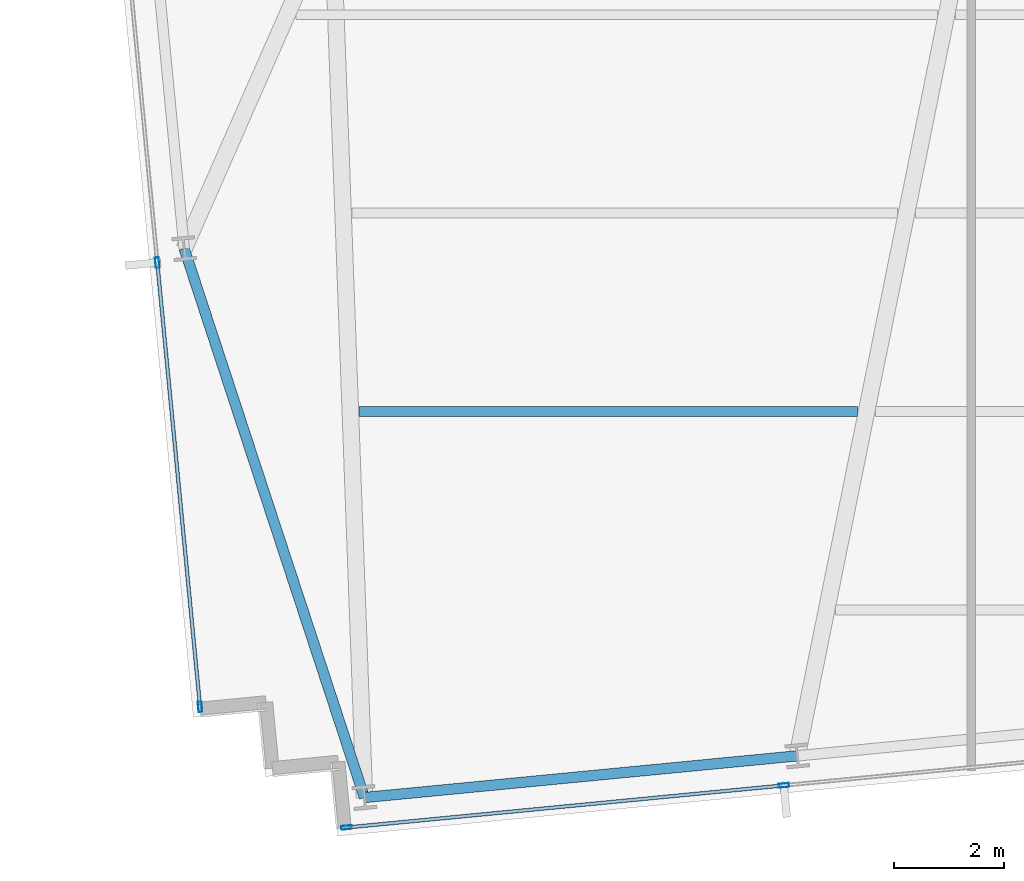
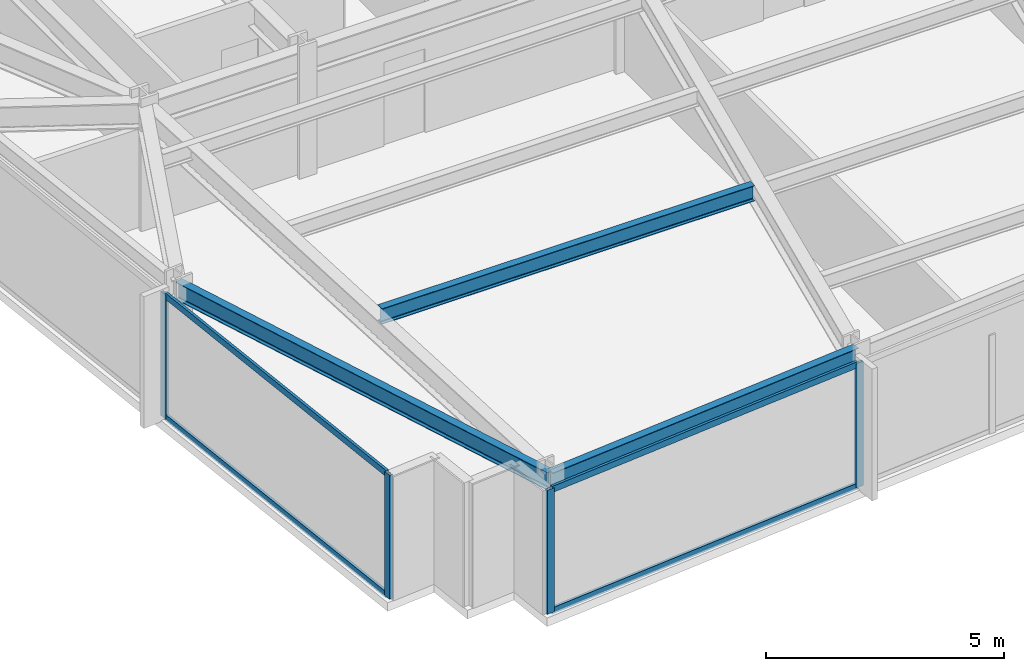
# One storey, part 2 of 32: 8 members, 3 beams, 2 elements without a shape of their own.
"""IFC4 building model written with IfcOpenShell, lengths in metres."""

from ifc_helpers import new_model, si_unit, direction, frame, origin, origin_2d, place, context, subcontext, project, spatial, hollow_rectangle, i_section, extrude, material, material_profile, profile_set, type_object, element, aggregate, save


model = new_model("IFC4")

# Units and contexts
model_context = context("Model", 3, precision=1e-05, world=origin(), true_north=direction((0.0, 1.0)))
body_context = subcontext(model_context, "Body", "Model", "MODEL_VIEW")
ifc_project = project(units=[si_unit("LENGTHUNIT", "METRE"), si_unit("AREAUNIT", "SQUARE_METRE"), si_unit("VOLUMEUNIT", "CUBIC_METRE"), si_unit("PLANEANGLEUNIT", "RADIAN"), si_unit("MASSUNIT", "GRAM", prefix="KILO")], contexts=[model_context])

# Site, building, storey
site_placement = place(None, origin())
site = spatial("IfcSite", under=ifc_project, at=site_placement, CompositionType="ELEMENT")
building_placement = place(site_placement, origin())
building = spatial("IfcBuilding", under=site, at=building_placement, Name="Yelkora Congress Tower", CompositionType="ELEMENT")
storey_placement = place(building_placement, frame((0.0, 0.0, 93.10009765625)))
storey = spatial("IfcBuildingStorey", under=building, at=storey_placement, Name="L24", CompositionType="ELEMENT", Elevation=93.10009765625)

# Beams
ifc_material_1 = material(Name="Steel S355J2", Category="steel")
ifc_material_profile_1 = material_profile(ifc_material_1, i_section(OverallWidth=0.179931640625, OverallDepth=0.39990234375, WebThickness=0.008544921875, FlangeThickness=0.013427734375, FilletRadius=0.02099609375, at=origin_2d()), Name="IPE 400")
ifc_profile_set_1 = profile_set([ifc_material_profile_1], Name="Steel S355J2")
beam_type_1 = type_object("IfcBeamType", Name="BM-JOIST-IPE400", PredefinedType="JOIST", material=ifc_profile_set_1)
beam_1_placement = place(storey_placement, frame((19.6904296875, 16.144287109375, 2.97998046875), z_axis=(1.0, 0.0, 0.0), x_axis=(0.0, 1.0, 0.0)))
element("IfcBeam", 1, at=beam_1_placement, inside=storey, type_object=beam_type_1, Name="L24 Composite Floor Joist 4", PredefinedType="JOIST", context=body_context, shape_type="SweptSolid", body=[
    extrude(i_section(OverallWidth=0.179931640625, OverallDepth=0.39990234375, WebThickness=0.008544921875, FlangeThickness=0.013427734375, FilletRadius=0.02099609375, at=origin_2d()), origin(), (0.0, 0.0, 1.0), 9.0439453125),
])
ifc_material_profile_2 = material_profile(ifc_material_1, i_section(OverallWidth=0.18994140625, OverallDepth=0.449951171875, WebThickness=0.009521484375, FlangeThickness=0.0146484375, FilletRadius=0.02099609375, at=origin_2d()), Name="IPE 450")
ifc_profile_set_2 = profile_set([ifc_material_profile_2], Name="Steel S355J2")
beam_type_2 = type_object("IfcBeamType", Name="BM-SPAN-IPE450", PredefinedType="SPANDREL", material=ifc_profile_set_2)
beam_2_placement = place(storey_placement, frame((16.5166015625, 19.101806640625, 2.954833984375), z_axis=(0.311940628701, -0.95010159676, 0.0), x_axis=(0.95010159676, 0.311940628701, 0.0)))
element("IfcBeam", 2, at=beam_2_placement, inside=storey, type_object=beam_type_2, Name="L24 Perimeter Beam 2", PredefinedType="SPANDREL", context=body_context, shape_type="SweptSolid", body=[
    extrude(i_section(OverallWidth=0.18994140625, OverallDepth=0.449951171875, WebThickness=0.009521484375, FlangeThickness=0.0146484375, FilletRadius=0.02099609375, at=origin_2d()), origin(), (0.0, 0.0, 1.0), 10.48046875),
])
beam_3_placement = place(storey_placement, frame((19.785888671875, 9.144287109375, 2.954833984375), z_axis=(0.995395860104, 0.095849265454, 0.0), x_axis=(-0.095849265454, 0.995395860104, 0.0)))
element("IfcBeam", 3, at=beam_3_placement, inside=storey, type_object=beam_type_2, Name="L24 Perimeter Beam 3", PredefinedType="SPANDREL", context=body_context, shape_type="SweptSolid", body=[
    extrude(i_section(OverallWidth=0.18994140625, OverallDepth=0.449951171875, WebThickness=0.009521484375, FlangeThickness=0.0146484375, FilletRadius=0.02099609375, at=origin_2d()), origin(), (0.0, 0.0, 1.0), 7.885986328125),
])

# Curtain wall, members
ifc_material_2 = material(Name="Anodised aluminium and insulated glass", Category="aluminium")
curtain_wall_type = type_object("IfcCurtainWallType", Name="CW-SYS-B2", PredefinedType="NOTDEFINED", material=ifc_material_2)
curtain_wall_1_placement = place(storey_placement, origin())
curtain_wall_1 = element("IfcCurtainWall", 4, at=curtain_wall_1_placement, inside=storey, type_object=curtain_wall_type, Name="L24 Unitised Curtain Wall 5", PredefinedType="NOTDEFINED")
ifc_material_3 = material(Name="Anodised aluminium 6063-T6", Category="aluminium")
ifc_material_profile_3 = material_profile(ifc_material_3, hollow_rectangle(XDim=0.070068359375, YDim=0.18994140625, WallThickness=0.00390625, at=origin_2d()), Name="ALU 70x190x4")
ifc_profile_set_3 = profile_set([ifc_material_profile_3], Name="Anodised aluminium 6063-T6")
member_type_1 = type_object("IfcMemberType", Name="MEM-ML-B2", PredefinedType="MULLION", material=ifc_profile_set_3)
member_1_placement = place(storey_placement, frame((16.804443359375, 10.791259765625, 0.0), z_axis=(0.0, 0.0, 1.0), x_axis=(-0.995396507508, -0.095842541913, 0.0)))
member_1 = element("IfcMember", 5, at=member_1_placement, type_object=member_type_1, Name="CW-B2 mullion 1", PredefinedType="MULLION", context=body_context, shape_type="SweptSolid", body=[
    extrude(hollow_rectangle(XDim=0.070068359375, YDim=0.18994140625, WallThickness=0.00390625, at=origin_2d()), origin(), (0.0, 0.0, 1.0), 3.179931640625),
])
member_2_placement = place(storey_placement, frame((16.028564453125, 18.848876953125, 0.0), z_axis=(0.0, 0.0, 1.0), x_axis=(-0.995396507508, -0.095842541913, 0.0)))
member_2 = element("IfcMember", 6, at=member_2_placement, type_object=member_type_1, Name="CW-B2 mullion 2", PredefinedType="MULLION", context=body_context, shape_type="SweptSolid", body=[
    extrude(hollow_rectangle(XDim=0.070068359375, YDim=0.18994140625, WallThickness=0.00390625, at=origin_2d()), origin(), (0.0, 0.0, 1.0), 3.179931640625),
])

curtain_wall_2_placement = place(storey_placement, origin())
curtain_wall_2 = element("IfcCurtainWall", 7, at=curtain_wall_2_placement, inside=storey, type_object=curtain_wall_type, Name="L24 Unitised Curtain Wall 20", PredefinedType="NOTDEFINED")
member_3_placement = place(storey_placement, frame((27.392822265625, 9.364501953125, 0.0), z_axis=(0.0, 0.0, 1.0), x_axis=(0.095844345816, -0.995396333816, 0.0)))
member_3 = element("IfcMember", 8, at=member_3_placement, type_object=member_type_1, Name="CW-B2 mullion 7", PredefinedType="MULLION", context=body_context, shape_type="SweptSolid", body=[
    extrude(hollow_rectangle(XDim=0.070068359375, YDim=0.18994140625, WallThickness=0.00390625, at=origin_2d()), origin(), (0.0, 0.0, 1.0), 3.179931640625),
])
member_4_placement = place(storey_placement, frame((19.46142578125, 8.600830078125, 0.0), z_axis=(0.0, 0.0, 1.0), x_axis=(0.095844345816, -0.995396333816, 0.0)))
member_4 = element("IfcMember", 9, at=member_4_placement, type_object=member_type_1, Name="CW-B2 mullion 8", PredefinedType="MULLION", context=body_context, shape_type="SweptSolid", body=[
    extrude(hollow_rectangle(XDim=0.070068359375, YDim=0.18994140625, WallThickness=0.00390625, at=origin_2d()), origin(), (0.0, 0.0, 1.0), 3.179931640625),
])

# Member
ifc_material_profile_4 = material_profile(ifc_material_3, hollow_rectangle(XDim=0.06494140625, YDim=0.159912109375, WallThickness=0.00390625, at=origin_2d()), Name="ALU 65x160x4")
ifc_profile_set_4 = profile_set([ifc_material_profile_4], Name="Anodised aluminium 6063-T6")
member_type_2 = type_object("IfcMemberType", Name="MEM-TR-B2", PredefinedType="USERDEFINED", material=ifc_profile_set_4)
member_5_placement = place(storey_placement, frame((16.801025390625, 10.826171875, 0.032470703125), z_axis=(-0.095861385662, 0.995394692943, 0.0), x_axis=(-0.995394692943, -0.095861385662, 0.0)))
member_5 = element("IfcMember", 10, at=member_5_placement, type_object=member_type_2, Name="CW-B2 transom 1.1", ObjectType="TRANSOM", PredefinedType="USERDEFINED", context=body_context, shape_type="SweptSolid", body=[
    extrude(hollow_rectangle(XDim=0.06494140625, YDim=0.159912109375, WallThickness=0.00390625, at=origin_2d()), origin(), (0.0, 0.0, 1.0), 8.02490234375),
])

member_6_placement = place(storey_placement, frame((16.801025390625, 10.826171875, 3.1474609375), z_axis=(-0.095861385662, 0.995394692943, 0.0), x_axis=(-0.995394692943, -0.095861385662, 0.0)))
member_6 = element("IfcMember", 11, at=member_6_placement, type_object=member_type_2, Name="CW-B2 transom 1.2", ObjectType="TRANSOM", PredefinedType="USERDEFINED", context=body_context, shape_type="SweptSolid", body=[
    extrude(hollow_rectangle(XDim=0.06494140625, YDim=0.159912109375, WallThickness=0.00390625, at=origin_2d()), origin(), (0.0, 0.0, 1.0), 8.02490234375),
])

aggregate(curtain_wall_1, [member_1, member_2, member_5, member_6])

member_7_placement = place(storey_placement, frame((27.35791015625, 9.361083984375, 0.032470703125), z_axis=(-0.995397978421, -0.095827264157, 0.0), x_axis=(0.095827264157, -0.995397978421, 0.0)))
member_7 = element("IfcMember", 12, at=member_7_placement, type_object=member_type_2, Name="CW-B2 transom 7.1", ObjectType="TRANSOM", PredefinedType="USERDEFINED", context=body_context, shape_type="SweptSolid", body=[
    extrude(hollow_rectangle(XDim=0.06494140625, YDim=0.159912109375, WallThickness=0.00390625, at=origin_2d()), origin(), (0.0, 0.0, 1.0), 7.89794921875),
])

member_8_placement = place(storey_placement, frame((27.35791015625, 9.361083984375, 3.1474609375), z_axis=(-0.995397978421, -0.095827264157, 0.0), x_axis=(0.095827264157, -0.995397978421, 0.0)))
member_8 = element("IfcMember", 13, at=member_8_placement, type_object=member_type_2, Name="CW-B2 transom 7.2", ObjectType="TRANSOM", PredefinedType="USERDEFINED", context=body_context, shape_type="SweptSolid", body=[
    extrude(hollow_rectangle(XDim=0.06494140625, YDim=0.159912109375, WallThickness=0.00390625, at=origin_2d()), origin(), (0.0, 0.0, 1.0), 7.89794921875),
])

aggregate(curtain_wall_2, [member_3, member_4, member_7, member_8])

save(model, "model.ifc")
